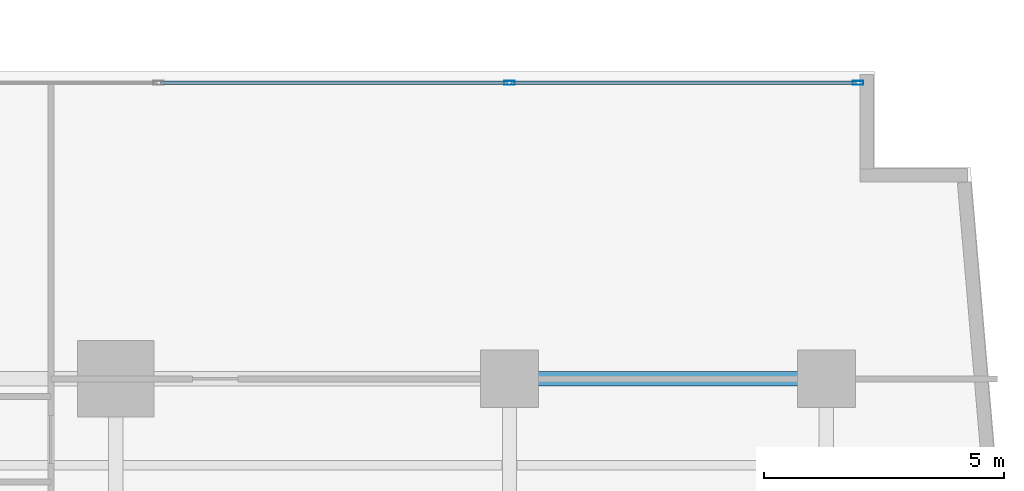
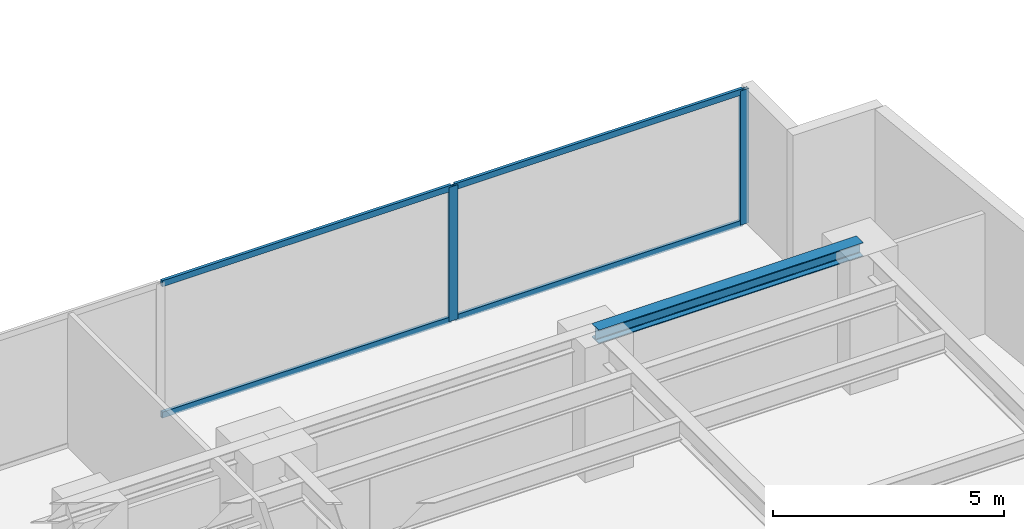
# One storey, part 14 of 29: 6 members, 1 beam, 1 element without a shape of its own.
"""IFC4 building model written with IfcOpenShell, lengths in metres."""

from ifc_helpers import new_model, si_unit, direction, frame, origin, origin_with_axes, origin_2d, place, context, subcontext, project, spatial, hollow_rectangle, i_section, extrude, source, transform, mapped, material, layer, layer_set, material_profile, profile_set, type_object, element, aggregate, save


model = new_model("IFC4")

# Units and contexts
model_context = context("Model", 3, precision=1e-05, world=origin(), true_north=direction((0.0, 1.0)))
body_context = subcontext(model_context, "Body", "Model", "MODEL_VIEW")
ifc_project = project(units=[si_unit("LENGTHUNIT", "METRE"), si_unit("AREAUNIT", "SQUARE_METRE"), si_unit("VOLUMEUNIT", "CUBIC_METRE"), si_unit("PLANEANGLEUNIT", "RADIAN"), si_unit("MASSUNIT", "GRAM", prefix="KILO")], contexts=[model_context])

# Site, building, storey
site_placement = place(None, origin())
site = spatial("IfcSite", under=ifc_project, at=site_placement, CompositionType="ELEMENT")
building_placement = place(site_placement, origin())
building = spatial("IfcBuilding", under=site, at=building_placement, Name="Kolvaren Waterfront Exchange", CompositionType="ELEMENT")
storey_placement = place(building_placement, frame((0.0, 0.0, 37.199951171875)))
storey = spatial("IfcBuildingStorey", under=building, at=storey_placement, Name="L09", CompositionType="ELEMENT", Elevation=37.199951171875)

# Beam
ifc_material_1 = material(Name="Steel S355", Category="steel")
ifc_material_profile_1 = material_profile(ifc_material_1, i_section(OverallWidth=0.300048828125, OverallDepth=0.360107421875, WebThickness=0.012451171875, FlangeThickness=0.0224609375, FilletRadius=0.027099609375, at=origin_2d()), Name="HEB360")
ifc_profile_set_1 = profile_set([ifc_material_profile_1], Name="Steel S355")
beam_type = type_object("IfcBeamType", Name="STR-BM-HEB360", PredefinedType="SPANDREL", material=ifc_profile_set_1)
beam_placement = place(storey_placement, frame((53.800048828125, 17.39990234375, 3.360107421875), z_axis=(1.0, 0.0, 0.0), x_axis=(0.0, 1.0, 0.0)))
element("IfcBeam", 1, at=beam_placement, inside=storey, type_object=beam_type, Name="L09 east-arm spandrel N5", PredefinedType="SPANDREL", context=body_context, shape_type="SweptSolid", body=[
    extrude(i_section(OverallWidth=0.300048828125, OverallDepth=0.360107421875, WebThickness=0.012451171875, FlangeThickness=0.0224609375, FilletRadius=0.027099609375, at=origin_2d()), origin(), (0.0, 0.0, 1.0), 6.599853515625),
])

# Curtain wall, members
ifc_material_2 = material(Name="Anodised bronze aluminium 6063-T6", Category="aluminium")
ifc_layer = layer(ifc_material_2, 0.219970703125, Name="Anodised bronze aluminium 6063-T6")
ifc_layer_set = layer_set([ifc_layer], Name="Anodised bronze aluminium 6063-T6")
curtain_wall_type = type_object("IfcCurtainWallType", Name="ARC-CW-SYS1", PredefinedType="USERDEFINED", material=ifc_layer_set)
curtain_wall_placement = place(storey_placement, origin())
curtain_wall = element("IfcCurtainWall", 2, at=curtain_wall_placement, inside=storey, type_object=curtain_wall_type, Name="L09 stick curtain wall CW1 (CW-L09-EN)", ObjectType="STICK CURTAIN WALL", PredefinedType="USERDEFINED")
ifc_material_3 = material(Name="Anodised aluminium 6063-T6", Category="aluminium")
ifc_material_profile_2 = material_profile(ifc_material_3, hollow_rectangle(XDim=0.074951171875, YDim=0.159912109375, WallThickness=0.00439453125, at=origin_2d()), Name="ALU-TRN-160x75x4.5")
ifc_profile_set_2 = profile_set([ifc_material_profile_2], Name="Anodised aluminium 6063-T6")
member_type_1 = type_object("IfcMemberType", Name="ARC-CWT-160", PredefinedType="USERDEFINED", material=ifc_profile_set_2)
shared_shape_1 = source(origin_with_axes(), body_context, "Body", "SweptSolid", [
    extrude(hollow_rectangle(XDim=0.074951171875, YDim=0.159912109375, WallThickness=0.00439453125, at=origin_2d()), origin(), (0.0, 0.0, 1.0), 7.1826171875),
])
member_1_placement = place(storey_placement, frame((53.83740234375, 23.56005859375, 0.03759765625), z_axis=(1.0, 0.0, 0.0), x_axis=(0.0, 1.0, 0.0)))
member_1 = element("IfcMember", 3, at=member_1_placement, type_object=member_type_1, Name="CW1 transom 4.1", ObjectType="TRANSOM", PredefinedType="USERDEFINED", context=body_context, shape_type="MappedRepresentation", body=[
    mapped(shared_shape_1, transform((0.0, 0.0, 0.0), x_axis=(1.0, 0.0, 0.0), y_axis=(0.0, 1.0, 0.0), z_axis=(0.0, 0.0, 1.0), scale=1.0)),
])
member_2_placement = place(storey_placement, frame((53.83740234375, 23.56005859375, 3.50244140625), z_axis=(1.0, 0.0, 0.0), x_axis=(0.0, 1.0, 0.0)))
member_2 = element("IfcMember", 4, at=member_2_placement, type_object=member_type_1, Name="CW1 transom 4.2", ObjectType="TRANSOM", PredefinedType="USERDEFINED", context=body_context, shape_type="MappedRepresentation", body=[
    mapped(shared_shape_1, transform((0.0, 0.0, 0.0), x_axis=(1.0, 0.0, 0.0), y_axis=(0.0, 1.0, 0.0), z_axis=(0.0, 0.0, 1.0), scale=1.0)),
])
shared_shape_2 = source(origin_with_axes(), body_context, "Body", "SweptSolid", [
    extrude(hollow_rectangle(XDim=0.074951171875, YDim=0.159912109375, WallThickness=0.00439453125, at=origin_2d()), origin(), (0.0, 0.0, 1.0), 7.22265625),
])
member_3_placement = place(storey_placement, frame((46.534912109375, 23.56005859375, 0.03759765625), z_axis=(1.0, 0.0, 0.0), x_axis=(0.0, 1.0, 0.0)))
member_3 = element("IfcMember", 5, at=member_3_placement, type_object=member_type_1, Name="CW1 transom 3.1", ObjectType="TRANSOM", PredefinedType="USERDEFINED", context=body_context, shape_type="MappedRepresentation", body=[
    mapped(shared_shape_2, transform((0.0, 0.0, 0.0), x_axis=(1.0, 0.0, 0.0), y_axis=(0.0, 1.0, 0.0), z_axis=(0.0, 0.0, 1.0), scale=1.0)),
])
member_4_placement = place(storey_placement, frame((46.534912109375, 23.56005859375, 3.50244140625), z_axis=(1.0, 0.0, 0.0), x_axis=(0.0, 1.0, 0.0)))
member_4 = element("IfcMember", 6, at=member_4_placement, type_object=member_type_1, Name="CW1 transom 3.2", ObjectType="TRANSOM", PredefinedType="USERDEFINED", context=body_context, shape_type="MappedRepresentation", body=[
    mapped(shared_shape_2, transform((0.0, 0.0, 0.0), x_axis=(1.0, 0.0, 0.0), y_axis=(0.0, 1.0, 0.0), z_axis=(0.0, 0.0, 1.0), scale=1.0)),
])
ifc_material_profile_3 = material_profile(ifc_material_3, hollow_rectangle(XDim=0.080078125, YDim=0.219970703125, WallThickness=0.0048828125, at=origin_2d()), Name="ALU-MUL-220x80x5")
ifc_profile_set_3 = profile_set([ifc_material_profile_3], Name="Anodised aluminium 6063-T6")
member_type_2 = type_object("IfcMemberType", Name="ARC-CWM-220", PredefinedType="MULLION", material=ifc_profile_set_3)
shared_shape_3 = source(origin_with_axes(), body_context, "Body", "SweptSolid", [
    extrude(hollow_rectangle(XDim=0.080078125, YDim=0.219970703125, WallThickness=0.0048828125, at=origin_2d()), origin(), (0.0, 0.0, 1.0), 3.5400390625),
])
member_5_placement = place(storey_placement, frame((53.797607421875, 23.56005859375, 0.0), z_axis=(0.0, 0.0, 1.0), x_axis=(0.0, 1.0, 0.0)))
member_5 = element("IfcMember", 7, at=member_5_placement, type_object=member_type_2, Name="CW1 mullion 4", PredefinedType="MULLION", context=body_context, shape_type="MappedRepresentation", body=[
    mapped(shared_shape_3, transform((0.0, 0.0, 0.0), x_axis=(1.0, 0.0, 0.0), y_axis=(0.0, 1.0, 0.0), z_axis=(0.0, 0.0, 1.0), scale=1.0)),
])
member_6_placement = place(storey_placement, frame((61.06005859375, 23.56005859375, 0.0), z_axis=(0.0, 0.0, 1.0), x_axis=(0.0, 1.0, 0.0)))
member_6 = element("IfcMember", 8, at=member_6_placement, type_object=member_type_2, Name="CW1 mullion 5", PredefinedType="MULLION", context=body_context, shape_type="MappedRepresentation", body=[
    mapped(shared_shape_3, transform((0.0, 0.0, 0.0), x_axis=(1.0, 0.0, 0.0), y_axis=(0.0, 1.0, 0.0), z_axis=(0.0, 0.0, 1.0), scale=1.0)),
])
aggregate(curtain_wall, [member_5, member_6, member_3, member_4, member_1, member_2])

save(model, "model.ifc")
